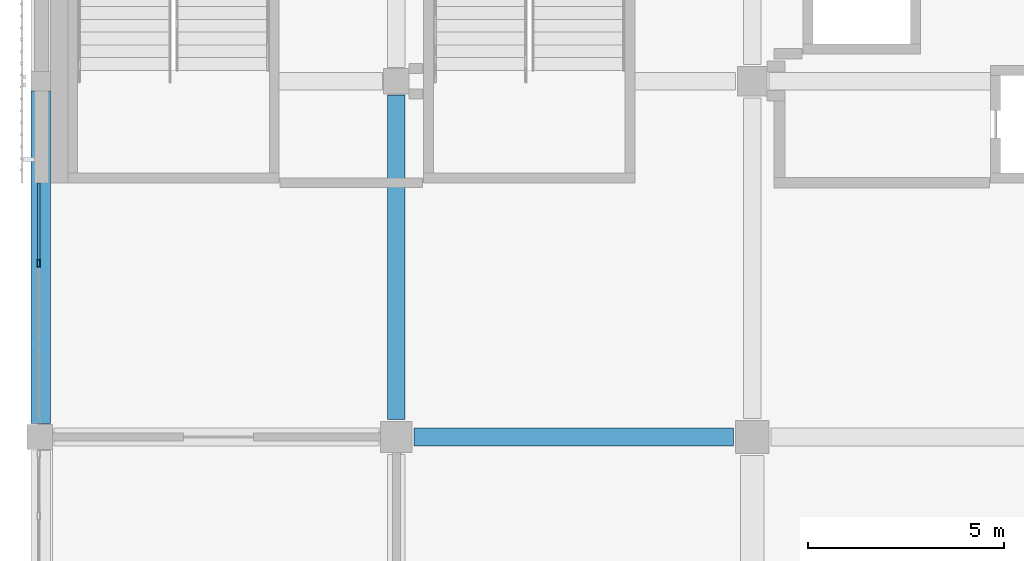
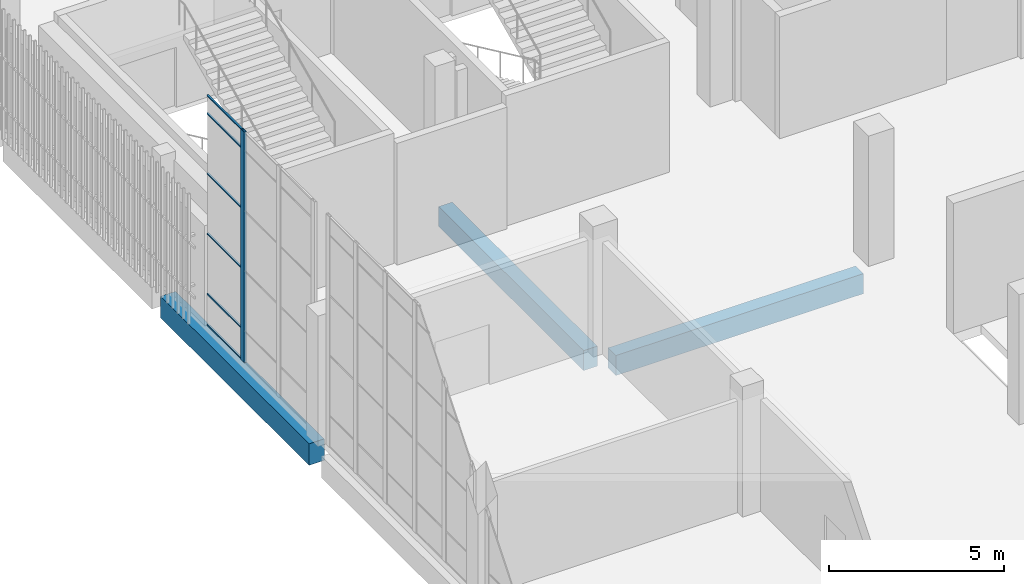
# One storey, part 26 of 126: 7 members, 3 beams, 1 element without a shape of its own.
"""IFC4 building model written with IfcOpenShell, lengths in metres."""

from ifc_helpers import new_model, si_unit, direction, frame, origin, origin_2d, place, context, subcontext, project, spatial, rectangle, hollow_rectangle, extrude, material, layer, layer_set, material_profile, profile_set, type_object, element, aggregate, save


model = new_model("IFC4")

# Units and contexts
model_context = context("Model", 3, precision=1e-05, world=origin(), true_north=direction((0.0, 1.0)))
body_context = subcontext(model_context, "Body", "Model", "MODEL_VIEW")
ifc_project = project(units=[si_unit("LENGTHUNIT", "METRE"), si_unit("AREAUNIT", "SQUARE_METRE"), si_unit("VOLUMEUNIT", "CUBIC_METRE"), si_unit("PLANEANGLEUNIT", "RADIAN"), si_unit("MASSUNIT", "GRAM", prefix="KILO")], contexts=[model_context])

# Site, building, storey
site_placement = place(None, origin())
site = spatial("IfcSite", under=ifc_project, at=site_placement, CompositionType="ELEMENT")
building_placement = place(site_placement, origin())
building = spatial("IfcBuilding", under=site, at=building_placement, Name="Shirokan Park Arena", CompositionType="ELEMENT")
storey_placement = place(building_placement, frame((0.0, 0.0, 6.3701171875)))
storey = spatial("IfcBuildingStorey", under=building, at=storey_placement, Name="L01", CompositionType="ELEMENT", Elevation=6.3701171875)

# Curtain wall, member
ifc_material_1 = material(Name="Steel and glass curtain wall", Category="steel")
ifc_layer = layer(ifc_material_1, 0.199951171875)
ifc_layer_set = layer_set([ifc_layer], Name="Steel and glass curtain wall 200 mm")
curtain_wall_type = type_object("IfcCurtainWallType", Name="Curtain wall hall bay 200", PredefinedType="NOTDEFINED", material=ifc_layer_set)
curtain_wall_placement = place(storey_placement, origin())
curtain_wall = element("IfcCurtainWall", 1, at=curtain_wall_placement, inside=storey, type_object=curtain_wall_type, Name="Curtain wall west bay 4 L01", PredefinedType="NOTDEFINED")
ifc_material_2 = material(Name="Steel S355", Category="steel")
ifc_material_profile_1 = material_profile(ifc_material_2, hollow_rectangle(XDim=0.080078125, YDim=0.199951171875, WallThickness=0.008056640625, at=origin_2d()), Name="RHS 200x80x8")
ifc_profile_set_1 = profile_set([ifc_material_profile_1], Name="Steel S355")
member_type_1 = type_object("IfcMemberType", Name="Mullion RHS 200x80x8", PredefinedType="MULLION", material=ifc_profile_set_1)
member_1_placement = place(storey_placement, frame((-0.050048828125, 77.24169921875, 0.0), z_axis=(0.0, 0.0, 1.0), x_axis=(1.0, 0.0, 0.0)))
member_1 = element("IfcMember", 2, at=member_1_placement, type_object=member_type_1, Name="CW5 mullion 2", PredefinedType="MULLION", context=body_context, shape_type="SweptSolid", body=[
    extrude(hollow_rectangle(XDim=0.080078125, YDim=0.199951171875, WallThickness=0.008056640625, at=origin_2d()), origin(), (0.0, 0.0, 1.0), 8.0498046875),
])

# Beams
ifc_material_3 = material(Name="Concrete C35", Category="concrete")
ifc_material_profile_2 = material_profile(ifc_material_3, rectangle(XDim=0.449951171875, YDim=0.699951171875, at=origin_2d()), Name="450x700")
ifc_profile_set_2 = profile_set([ifc_material_profile_2], Name="Concrete C35")
beam_type_1 = type_object("IfcBeamType", Name="RC girder 450x700", PredefinedType="BEAM", material=ifc_profile_set_2)
beam_1_placement = place(storey_placement, frame((9.550048828125, 72.800048828125, -0.7001953125), z_axis=(1.0, 0.0, 0.0), x_axis=(0.0, 1.0, 0.0)))
element("IfcBeam", 3, at=beam_1_placement, inside=storey, type_object=beam_type_1, Name="Girder 2J-3J L01", PredefinedType="BEAM", context=body_context, shape_type="SweptSolid", body=[
    extrude(rectangle(XDim=0.449951171875, YDim=0.699951171875, at=origin_2d()), origin(), (0.0, 0.0, 1.0), 8.1748046875),
])
beam_2_placement = place(storey_placement, frame((9.10009765625, 73.25, -0.7001953125), z_axis=(0.0, 1.0, 0.0), x_axis=(-1.0, 0.0, 0.0)))
element("IfcBeam", 4, at=beam_2_placement, inside=storey, type_object=beam_type_1, Name="Girder 2J-2K L01", PredefinedType="BEAM", context=body_context, shape_type="SweptSolid", body=[
    extrude(rectangle(XDim=0.449951171875, YDim=0.699951171875, at=origin_2d()), origin(), (0.0, 0.0, 1.0), 8.2998046875),
])
ifc_material_profile_3 = material_profile(ifc_material_3, rectangle(XDim=0.5, YDim=0.75, at=origin_2d()), Name="500x750")
ifc_profile_set_3 = profile_set([ifc_material_profile_3], Name="Concrete C35")
beam_type_2 = type_object("IfcBeamType", Name="RC girder 500x750", PredefinedType="BEAM", material=ifc_profile_set_3)
beam_3_placement = place(storey_placement, frame((0.0, 73.150146484375, -0.72509765625), z_axis=(0.0, 1.0, 0.0), x_axis=(-1.0, 0.0, 0.0)))
element("IfcBeam", 5, at=beam_3_placement, inside=storey, type_object=beam_type_2, Name="Girder 1J-1K L01", PredefinedType="BEAM", context=body_context, shape_type="SweptSolid", body=[
    extrude(rectangle(XDim=0.5, YDim=0.75, at=origin_2d()), origin(), (0.0, 0.0, 1.0), 8.499755859375),
])

# Member
ifc_material_profile_4 = material_profile(ifc_material_2, hollow_rectangle(XDim=0.06005859375, YDim=0.0400390625, WallThickness=0.00390625, at=origin_2d()), Name="RHS 60x40x4")
ifc_profile_set_4 = profile_set([ifc_material_profile_4], Name="Steel S355")
member_type_2 = type_object("IfcMemberType", Name="Transom RHS 60x40x4", PredefinedType="MULLION", material=ifc_profile_set_4)
member_2_placement = place(storey_placement, frame((-0.050048828125, 79.300048828125, 0.019775390625), z_axis=(0.0, -1.0, 0.0), x_axis=(1.0, 0.0, 0.0)))
member_2 = element("IfcMember", 6, at=member_2_placement, type_object=member_type_2, Name="CW5 transom 1.1", PredefinedType="MULLION", context=body_context, shape_type="SweptSolid", body=[
    extrude(hollow_rectangle(XDim=0.06005859375, YDim=0.0400390625, WallThickness=0.00390625, at=origin_2d()), origin(), (0.0, 0.0, 1.0), 1.95849609375),
])

member_3_placement = place(storey_placement, frame((-0.050048828125, 79.300048828125, 1.099853515625), z_axis=(0.0, -1.0, 0.0), x_axis=(1.0, 0.0, 0.0)))
member_3 = element("IfcMember", 7, at=member_3_placement, type_object=member_type_2, Name="CW5 transom 1.2", PredefinedType="MULLION", context=body_context, shape_type="SweptSolid", body=[
    extrude(hollow_rectangle(XDim=0.06005859375, YDim=0.0400390625, WallThickness=0.00390625, at=origin_2d()), origin(), (0.0, 0.0, 1.0), 1.95849609375),
])

member_4_placement = place(storey_placement, frame((-0.050048828125, 79.300048828125, 3.199951171875), z_axis=(0.0, -1.0, 0.0), x_axis=(1.0, 0.0, 0.0)))
member_4 = element("IfcMember", 8, at=member_4_placement, type_object=member_type_2, Name="CW5 transom 1.3", PredefinedType="MULLION", context=body_context, shape_type="SweptSolid", body=[
    extrude(hollow_rectangle(XDim=0.06005859375, YDim=0.0400390625, WallThickness=0.00390625, at=origin_2d()), origin(), (0.0, 0.0, 1.0), 1.95849609375),
])

member_5_placement = place(storey_placement, frame((-0.050048828125, 79.300048828125, 5.2998046875), z_axis=(0.0, -1.0, 0.0), x_axis=(1.0, 0.0, 0.0)))
member_5 = element("IfcMember", 9, at=member_5_placement, type_object=member_type_2, Name="CW5 transom 1.4", PredefinedType="MULLION", context=body_context, shape_type="SweptSolid", body=[
    extrude(hollow_rectangle(XDim=0.06005859375, YDim=0.0400390625, WallThickness=0.00390625, at=origin_2d()), origin(), (0.0, 0.0, 1.0), 1.95849609375),
])

member_6_placement = place(storey_placement, frame((-0.050048828125, 79.300048828125, 7.39990234375), z_axis=(0.0, -1.0, 0.0), x_axis=(1.0, 0.0, 0.0)))
member_6 = element("IfcMember", 10, at=member_6_placement, type_object=member_type_2, Name="CW5 transom 1.5", PredefinedType="MULLION", context=body_context, shape_type="SweptSolid", body=[
    extrude(hollow_rectangle(XDim=0.06005859375, YDim=0.0400390625, WallThickness=0.00390625, at=origin_2d()), origin(), (0.0, 0.0, 1.0), 1.95849609375),
])

member_7_placement = place(storey_placement, frame((-0.050048828125, 79.300048828125, 8.02978515625), z_axis=(0.0, -1.0, 0.0), x_axis=(1.0, 0.0, 0.0)))
member_7 = element("IfcMember", 11, at=member_7_placement, type_object=member_type_2, Name="CW5 transom 1.6", PredefinedType="MULLION", context=body_context, shape_type="SweptSolid", body=[
    extrude(hollow_rectangle(XDim=0.06005859375, YDim=0.0400390625, WallThickness=0.00390625, at=origin_2d()), origin(), (0.0, 0.0, 1.0), 1.95849609375),
])

aggregate(curtain_wall, [member_1, member_2, member_3, member_4, member_5, member_6, member_7])

save(model, "model.ifc")
